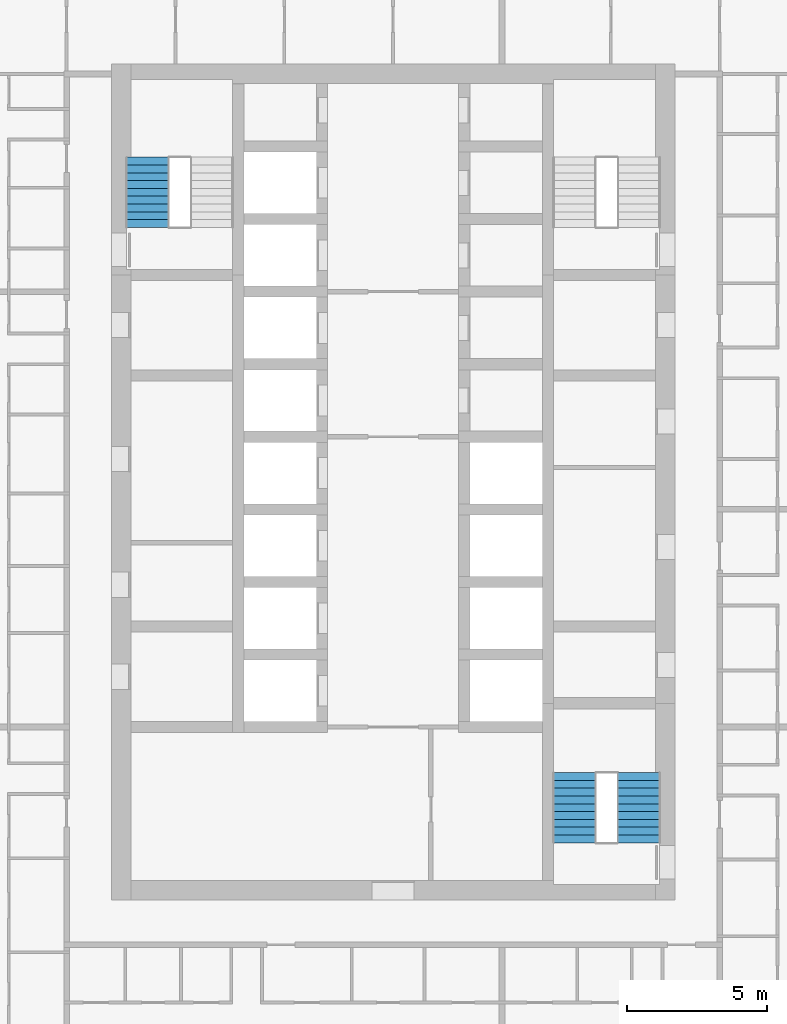
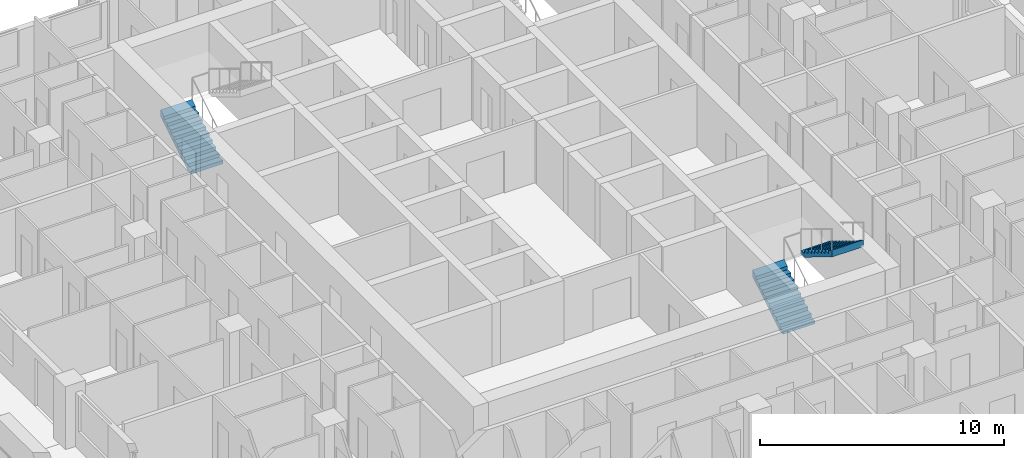
# One storey, part 14 of 17: 3 stair flights, 2 elements without a shape of their own.
"""IFC4 building model written with IfcOpenShell, lengths in metres."""

from ifc_helpers import new_model, si_unit, direction, frame, origin, place, context, subcontext, project, spatial, triangles, material, type_object, element, aggregate, save


model = new_model("IFC4")

# Units and contexts
model_context = context("Model", 3, precision=1e-05, world=origin(), true_north=direction((0.0, 1.0)))
body_context = subcontext(model_context, "Body", "Model", "MODEL_VIEW")
ifc_project = project(units=[si_unit("LENGTHUNIT", "METRE"), si_unit("AREAUNIT", "SQUARE_METRE"), si_unit("VOLUMEUNIT", "CUBIC_METRE"), si_unit("PLANEANGLEUNIT", "RADIAN"), si_unit("MASSUNIT", "GRAM", prefix="KILO")], contexts=[model_context])

# Site, building, storey
site_placement = place(None, origin())
site = spatial("IfcSite", under=ifc_project, at=site_placement, CompositionType="ELEMENT")
building_placement = place(site_placement, origin())
building = spatial("IfcBuilding", under=site, at=building_placement, Name="Ludao Terraces", CompositionType="ELEMENT")
storey_placement = place(building_placement, frame((0.0, 0.0, 88.60009765625)))
storey = spatial("IfcBuildingStorey", under=building, at=storey_placement, Name="L24", CompositionType="ELEMENT", Elevation=88.60009765625)

# Stair, stair flight
ifc_material = material(Name="Concrete C40", Category="concrete")
stair_type = type_object("IfcStairType", Name="INT Stair", PredefinedType="HALF_TURN_STAIR", material=ifc_material)
stair_1_placement = place(storey_placement, origin())
stair_1 = element("IfcStair", 1, at=stair_1_placement, inside=storey, type_object=stair_type, Name="EXIT STAIR 1", PredefinedType="HALF_TURN_STAIR")
stair_flight_type = type_object("IfcStairFlightType", Name="INT Stair flight", PredefinedType="STRAIGHT", material=ifc_material)
stair_flight_1_placement = place(storey_placement, frame((76.199951171875, 79.0, 0.0), z_axis=(0.0, 0.0, 1.0), x_axis=(0.0, 1.0, 0.0)))
stair_flight_1 = element("IfcStairFlight", 2, at=stair_flight_1_placement, type_object=stair_flight_type, Name="ST1 flight 1", NumberOfRisers=10, NumberOfTreads=9, PredefinedType="STRAIGHT", RiserHeight=0.17, TreadLength=0.28, context=body_context, shape_type="Tessellation", body=[
    triangles([(0.0, -0.75, 0.0), (0.0, -0.5, 0.0), (0.0, -0.25, 0.0), (0.0, 0.0, 0.0), (0.0, 0.25, 0.0), (0.0, 0.5, 0.0), (0.0, 0.75, 0.0), (0.0, -0.75, 0.169921875), (0.0, -0.5, 0.169921875), (0.0, -0.25, 0.169921875), (0.0, 0.0, 0.169921875), (0.0, 0.25, 0.169921875), (0.0, 0.5, 0.169921875), (0.0, 0.75, 0.169921875), (0.280029296875, -0.75, 0.169921875), (0.280029296875, -0.5, 0.169921875), (0.280029296875, -0.25, 0.169921875), (0.280029296875, 0.0, 0.169921875), (0.280029296875, 0.25, 0.169921875), (0.280029296875, 0.5, 0.169921875), (0.280029296875, 0.75, 0.169921875), (0.280029296875, -0.75, 0.340087890625), (0.280029296875, -0.5, 0.340087890625), (0.280029296875, -0.25, 0.340087890625), (0.280029296875, 0.0, 0.340087890625), (0.280029296875, 0.25, 0.340087890625), (0.280029296875, 0.5, 0.340087890625), (0.280029296875, 0.75, 0.340087890625), (0.56005859375, -0.75, 0.340087890625), (0.56005859375, -0.5, 0.340087890625), (0.56005859375, -0.25, 0.340087890625), (0.56005859375, 0.0, 0.340087890625), (0.56005859375, 0.25, 0.340087890625), (0.56005859375, 0.5, 0.340087890625), (0.56005859375, 0.75, 0.340087890625), (0.56005859375, -0.75, 0.510009765625), (0.56005859375, -0.5, 0.510009765625), (0.56005859375, -0.25, 0.510009765625), (0.56005859375, 0.0, 0.510009765625), (0.56005859375, 0.25, 0.510009765625), (0.56005859375, 0.5, 0.510009765625), (0.56005859375, 0.75, 0.510009765625), (0.840087890625, -0.75, 0.510009765625), (0.840087890625, -0.5, 0.510009765625), (0.840087890625, -0.25, 0.510009765625), (0.840087890625, 0.0, 0.510009765625), (0.840087890625, 0.25, 0.510009765625), (0.840087890625, 0.5, 0.510009765625), (0.840087890625, 0.75, 0.510009765625), (0.840087890625, -0.75, 0.679931640625), (0.840087890625, -0.5, 0.679931640625), (0.840087890625, -0.25, 0.679931640625), (0.840087890625, 0.0, 0.679931640625), (0.840087890625, 0.25, 0.679931640625), (0.840087890625, 0.5, 0.679931640625), (0.840087890625, 0.75, 0.679931640625), (1.1201171875, -0.75, 0.679931640625), (1.1201171875, -0.5, 0.679931640625), (1.1201171875, -0.25, 0.679931640625), (1.1201171875, 0.0, 0.679931640625), (1.1201171875, 0.25, 0.679931640625), (1.1201171875, 0.5, 0.679931640625), (1.1201171875, 0.75, 0.679931640625), (1.1201171875, -0.75, 0.85009765625), (1.1201171875, -0.5, 0.85009765625), (1.1201171875, -0.25, 0.85009765625), (1.1201171875, 0.0, 0.85009765625), (1.1201171875, 0.25, 0.85009765625), (1.1201171875, 0.5, 0.85009765625), (1.1201171875, 0.75, 0.85009765625), (1.39990234375, -0.75, 0.85009765625), (1.39990234375, -0.5, 0.85009765625), (1.39990234375, -0.25, 0.85009765625), (1.39990234375, 0.0, 0.85009765625), (1.39990234375, 0.25, 0.85009765625), (1.39990234375, 0.5, 0.85009765625), (1.39990234375, 0.75, 0.85009765625), (1.39990234375, -0.75, 1.02001953125), (1.39990234375, -0.5, 1.02001953125), (1.39990234375, -0.25, 1.02001953125), (1.39990234375, 0.0, 1.02001953125), (1.39990234375, 0.25, 1.02001953125), (1.39990234375, 0.5, 1.02001953125), (1.39990234375, 0.75, 1.02001953125), (1.679931640625, -0.75, 1.02001953125), (1.679931640625, -0.5, 1.02001953125), (1.679931640625, -0.25, 1.02001953125), (1.679931640625, 0.0, 1.02001953125), (1.679931640625, 0.25, 1.02001953125), (1.679931640625, 0.5, 1.02001953125), (1.679931640625, 0.75, 1.02001953125), (1.679931640625, -0.75, 1.18994140625), (1.679931640625, -0.5, 1.18994140625), (1.679931640625, -0.25, 1.18994140625), (1.679931640625, 0.0, 1.18994140625), (1.679931640625, 0.25, 1.18994140625), (1.679931640625, 0.5, 1.18994140625), (1.679931640625, 0.75, 1.18994140625), (1.9599609375, -0.75, 1.18994140625), (1.9599609375, -0.5, 1.18994140625), (1.9599609375, -0.25, 1.18994140625), (1.9599609375, 0.0, 1.18994140625), (1.9599609375, 0.25, 1.18994140625), (1.9599609375, 0.5, 1.18994140625), (1.9599609375, 0.75, 1.18994140625), (1.9599609375, -0.75, 1.360107421875), (1.9599609375, -0.5, 1.360107421875), (1.9599609375, -0.25, 1.360107421875), (1.9599609375, 0.0, 1.360107421875), (1.9599609375, 0.25, 1.360107421875), (1.9599609375, 0.5, 1.360107421875), (1.9599609375, 0.75, 1.360107421875), (2.239990234375, -0.75, 1.360107421875), (2.239990234375, -0.5, 1.360107421875), (2.239990234375, -0.25, 1.360107421875), (2.239990234375, 0.0, 1.360107421875), (2.239990234375, 0.25, 1.360107421875), (2.239990234375, 0.5, 1.360107421875), (2.239990234375, 0.75, 1.360107421875), (2.239990234375, -0.75, 1.530029296875), (2.239990234375, -0.5, 1.530029296875), (2.239990234375, -0.25, 1.530029296875), (2.239990234375, 0.0, 1.530029296875), (2.239990234375, 0.25, 1.530029296875), (2.239990234375, 0.5, 1.530029296875), (2.239990234375, 0.75, 1.530029296875), (2.52001953125, -0.75, 1.699951171875), (2.52001953125, -0.5, 1.699951171875), (2.52001953125, -0.25, 1.699951171875), (2.52001953125, 0.0, 1.699951171875), (2.52001953125, 0.25, 1.699951171875), (2.52001953125, 0.5, 1.699951171875), (2.52001953125, 0.75, 1.699951171875), (2.52001953125, -0.75, 1.354736328125), (2.52001953125, -0.5, 1.354736328125), (2.52001953125, -0.25, 1.354736328125), (2.52001953125, 0.0, 1.354736328125), (2.52001953125, 0.25, 1.354736328125), (2.52001953125, 0.5, 1.354736328125), (2.52001953125, 0.75, 1.354736328125), (0.288818359375, -0.75, 0.0), (0.288818359375, -0.5, 0.0), (0.288818359375, -0.25, 0.0), (0.288818359375, 0.0, 0.0), (0.288818359375, 0.25, 0.0), (0.288818359375, 0.5, 0.0), (0.288818359375, 0.75, 0.0)], [[1, 141, 134], [7, 140, 147], [134, 127, 120], [140, 126, 133], [134, 120, 113], [140, 119, 126], [134, 113, 106], [140, 112, 119], [134, 106, 99], [140, 105, 112], [99, 92, 85], [105, 91, 98], [134, 99, 85], [140, 91, 105], [85, 78, 71], [91, 77, 84], [134, 85, 71], [140, 77, 91], [71, 64, 57], [77, 63, 70], [134, 71, 57], [140, 63, 77], [57, 50, 43], [63, 49, 56], [134, 57, 43], [140, 49, 63], [43, 36, 29], [49, 35, 42], [134, 43, 29], [140, 35, 49], [29, 22, 15], [35, 21, 28], [134, 29, 15], [140, 21, 35], [1, 134, 15], [7, 21, 140], [15, 8, 1], [21, 7, 14], [1, 9, 2], [1, 8, 9], [2, 10, 3], [2, 9, 10], [3, 11, 4], [3, 10, 11], [4, 12, 5], [4, 11, 12], [5, 13, 6], [5, 12, 13], [6, 14, 7], [6, 13, 14], [8, 16, 9], [8, 15, 16], [9, 17, 10], [9, 16, 17], [10, 18, 11], [10, 17, 18], [11, 19, 12], [11, 18, 19], [12, 20, 13], [12, 19, 20], [13, 21, 14], [13, 20, 21], [15, 23, 16], [15, 22, 23], [16, 24, 17], [16, 23, 24], [17, 25, 18], [17, 24, 25], [18, 26, 19], [18, 25, 26], [19, 27, 20], [19, 26, 27], [20, 28, 21], [20, 27, 28], [22, 30, 23], [22, 29, 30], [23, 31, 24], [23, 30, 31], [24, 32, 25], [24, 31, 32], [25, 33, 26], [25, 32, 33], [26, 34, 27], [26, 33, 34], [27, 35, 28], [27, 34, 35], [29, 37, 30], [29, 36, 37], [30, 38, 31], [30, 37, 38], [31, 39, 32], [31, 38, 39], [32, 40, 33], [32, 39, 40], [33, 41, 34], [33, 40, 41], [34, 42, 35], [34, 41, 42], [36, 44, 37], [36, 43, 44], [37, 45, 38], [37, 44, 45], [38, 46, 39], [38, 45, 46], [39, 47, 40], [39, 46, 47], [40, 48, 41], [40, 47, 48], [41, 49, 42], [41, 48, 49], [43, 51, 44], [43, 50, 51], [44, 52, 45], [44, 51, 52], [45, 53, 46], [45, 52, 53], [46, 54, 47], [46, 53, 54], [47, 55, 48], [47, 54, 55], [48, 56, 49], [48, 55, 56], [50, 58, 51], [50, 57, 58], [51, 59, 52], [51, 58, 59], [52, 60, 53], [52, 59, 60], [53, 61, 54], [53, 60, 61], [54, 62, 55], [54, 61, 62], [55, 63, 56], [55, 62, 63], [57, 65, 58], [57, 64, 65], [58, 66, 59], [58, 65, 66], [59, 67, 60], [59, 66, 67], [60, 68, 61], [60, 67, 68], [61, 69, 62], [61, 68, 69], [62, 70, 63], [62, 69, 70], [64, 72, 65], [64, 71, 72], [65, 73, 66], [65, 72, 73], [66, 74, 67], [66, 73, 74], [67, 75, 68], [67, 74, 75], [68, 76, 69], [68, 75, 76], [69, 77, 70], [69, 76, 77], [71, 79, 72], [71, 78, 79], [72, 80, 73], [72, 79, 80], [73, 81, 74], [73, 80, 81], [74, 82, 75], [74, 81, 82], [75, 83, 76], [75, 82, 83], [76, 84, 77], [76, 83, 84], [78, 86, 79], [78, 85, 86], [79, 87, 80], [79, 86, 87], [80, 88, 81], [80, 87, 88], [81, 89, 82], [81, 88, 89], [82, 90, 83], [82, 89, 90], [83, 91, 84], [83, 90, 91], [85, 93, 86], [85, 92, 93], [86, 94, 87], [86, 93, 94], [87, 95, 88], [87, 94, 95], [88, 96, 89], [88, 95, 96], [89, 97, 90], [89, 96, 97], [90, 98, 91], [90, 97, 98], [92, 100, 93], [92, 99, 100], [93, 101, 94], [93, 100, 101], [94, 102, 95], [94, 101, 102], [95, 103, 96], [95, 102, 103], [96, 104, 97], [96, 103, 104], [97, 105, 98], [97, 104, 105], [99, 107, 100], [99, 106, 107], [100, 108, 101], [100, 107, 108], [101, 109, 102], [101, 108, 109], [102, 110, 103], [102, 109, 110], [103, 111, 104], [103, 110, 111], [104, 112, 105], [104, 111, 112], [106, 114, 107], [106, 113, 114], [107, 115, 108], [107, 114, 115], [108, 116, 109], [108, 115, 116], [109, 117, 110], [109, 116, 117], [110, 118, 111], [110, 117, 118], [111, 119, 112], [111, 118, 119], [113, 121, 114], [113, 120, 121], [114, 122, 115], [114, 121, 122], [115, 123, 116], [115, 122, 123], [116, 124, 117], [116, 123, 124], [117, 125, 118], [117, 124, 125], [118, 126, 119], [118, 125, 126], [120, 128, 121], [120, 127, 128], [121, 129, 122], [121, 128, 129], [122, 130, 123], [122, 129, 130], [123, 131, 124], [123, 130, 131], [124, 132, 125], [124, 131, 132], [125, 133, 126], [125, 132, 133], [127, 135, 128], [127, 134, 135], [128, 136, 129], [128, 135, 136], [129, 137, 130], [129, 136, 137], [130, 138, 131], [130, 137, 138], [131, 139, 132], [131, 138, 139], [132, 140, 133], [132, 139, 140], [134, 142, 135], [134, 141, 142], [135, 143, 136], [135, 142, 143], [136, 144, 137], [136, 143, 144], [137, 145, 138], [137, 144, 145], [138, 146, 139], [138, 145, 146], [139, 147, 140], [139, 146, 147], [141, 2, 142], [141, 1, 2], [142, 3, 143], [142, 2, 3], [143, 4, 144], [143, 3, 4], [144, 5, 145], [144, 4, 5], [145, 6, 146], [145, 5, 6], [146, 7, 147], [146, 6, 7]], closed=True),
])
aggregate(stair_1, [stair_flight_1])

# Stair, stair flights
stair_2_placement = place(storey_placement, origin())
stair_2 = element("IfcStair", 3, at=stair_2_placement, inside=storey, type_object=stair_type, Name="EXIT STAIR 3", PredefinedType="HALF_TURN_STAIR")
stair_flight_2_placement = place(storey_placement, frame((91.5, 56.949951171875, 0.0), z_axis=(0.0, 0.0, 1.0), x_axis=(0.0, 1.0, 0.0)))
stair_flight_2 = element("IfcStairFlight", 4, at=stair_flight_2_placement, type_object=stair_flight_type, Name="ST3 flight 1", NumberOfRisers=10, NumberOfTreads=9, PredefinedType="STRAIGHT", RiserHeight=0.17, TreadLength=0.28, context=body_context, shape_type="Tessellation", body=[
    triangles([(0.0, -0.75, 0.0), (0.0, -0.5, 0.0), (0.0, -0.25, 0.0), (0.0, 0.0, 0.0), (0.0, 0.25, 0.0), (0.0, 0.5, 0.0), (0.0, 0.75, 0.0), (0.0, -0.75, 0.169921875), (0.0, -0.5, 0.169921875), (0.0, -0.25, 0.169921875), (0.0, 0.0, 0.169921875), (0.0, 0.25, 0.169921875), (0.0, 0.5, 0.169921875), (0.0, 0.75, 0.169921875), (0.280029296875, -0.75, 0.169921875), (0.280029296875, -0.5, 0.169921875), (0.280029296875, -0.25, 0.169921875), (0.280029296875, 0.0, 0.169921875), (0.280029296875, 0.25, 0.169921875), (0.280029296875, 0.5, 0.169921875), (0.280029296875, 0.75, 0.169921875), (0.280029296875, -0.75, 0.340087890625), (0.280029296875, -0.5, 0.340087890625), (0.280029296875, -0.25, 0.340087890625), (0.280029296875, 0.0, 0.340087890625), (0.280029296875, 0.25, 0.340087890625), (0.280029296875, 0.5, 0.340087890625), (0.280029296875, 0.75, 0.340087890625), (0.56005859375, -0.75, 0.340087890625), (0.56005859375, -0.5, 0.340087890625), (0.56005859375, -0.25, 0.340087890625), (0.56005859375, 0.0, 0.340087890625), (0.56005859375, 0.25, 0.340087890625), (0.56005859375, 0.5, 0.340087890625), (0.56005859375, 0.75, 0.340087890625), (0.56005859375, -0.75, 0.510009765625), (0.56005859375, -0.5, 0.510009765625), (0.56005859375, -0.25, 0.510009765625), (0.56005859375, 0.0, 0.510009765625), (0.56005859375, 0.25, 0.510009765625), (0.56005859375, 0.5, 0.510009765625), (0.56005859375, 0.75, 0.510009765625), (0.840087890625, -0.75, 0.510009765625), (0.840087890625, -0.5, 0.510009765625), (0.840087890625, -0.25, 0.510009765625), (0.840087890625, 0.0, 0.510009765625), (0.840087890625, 0.25, 0.510009765625), (0.840087890625, 0.5, 0.510009765625), (0.840087890625, 0.75, 0.510009765625), (0.840087890625, -0.75, 0.679931640625), (0.840087890625, -0.5, 0.679931640625), (0.840087890625, -0.25, 0.679931640625), (0.840087890625, 0.0, 0.679931640625), (0.840087890625, 0.25, 0.679931640625), (0.840087890625, 0.5, 0.679931640625), (0.840087890625, 0.75, 0.679931640625), (1.1201171875, -0.75, 0.679931640625), (1.1201171875, -0.5, 0.679931640625), (1.1201171875, -0.25, 0.679931640625), (1.1201171875, 0.0, 0.679931640625), (1.1201171875, 0.25, 0.679931640625), (1.1201171875, 0.5, 0.679931640625), (1.1201171875, 0.75, 0.679931640625), (1.1201171875, -0.75, 0.85009765625), (1.1201171875, -0.5, 0.85009765625), (1.1201171875, -0.25, 0.85009765625), (1.1201171875, 0.0, 0.85009765625), (1.1201171875, 0.25, 0.85009765625), (1.1201171875, 0.5, 0.85009765625), (1.1201171875, 0.75, 0.85009765625), (1.39990234375, -0.75, 0.85009765625), (1.39990234375, -0.5, 0.85009765625), (1.39990234375, -0.25, 0.85009765625), (1.39990234375, 0.0, 0.85009765625), (1.39990234375, 0.25, 0.85009765625), (1.39990234375, 0.5, 0.85009765625), (1.39990234375, 0.75, 0.85009765625), (1.39990234375, -0.75, 1.02001953125), (1.39990234375, -0.5, 1.02001953125), (1.39990234375, -0.25, 1.02001953125), (1.39990234375, 0.0, 1.02001953125), (1.39990234375, 0.25, 1.02001953125), (1.39990234375, 0.5, 1.02001953125), (1.39990234375, 0.75, 1.02001953125), (1.679931640625, -0.75, 1.02001953125), (1.679931640625, -0.5, 1.02001953125), (1.679931640625, -0.25, 1.02001953125), (1.679931640625, 0.0, 1.02001953125), (1.679931640625, 0.25, 1.02001953125), (1.679931640625, 0.5, 1.02001953125), (1.679931640625, 0.75, 1.02001953125), (1.679931640625, -0.75, 1.18994140625), (1.679931640625, -0.5, 1.18994140625), (1.679931640625, -0.25, 1.18994140625), (1.679931640625, 0.0, 1.18994140625), (1.679931640625, 0.25, 1.18994140625), (1.679931640625, 0.5, 1.18994140625), (1.679931640625, 0.75, 1.18994140625), (1.9599609375, -0.75, 1.18994140625), (1.9599609375, -0.5, 1.18994140625), (1.9599609375, -0.25, 1.18994140625), (1.9599609375, 0.0, 1.18994140625), (1.9599609375, 0.25, 1.18994140625), (1.9599609375, 0.5, 1.18994140625), (1.9599609375, 0.75, 1.18994140625), (1.9599609375, -0.75, 1.360107421875), (1.9599609375, -0.5, 1.360107421875), (1.9599609375, -0.25, 1.360107421875), (1.9599609375, 0.0, 1.360107421875), (1.9599609375, 0.25, 1.360107421875), (1.9599609375, 0.5, 1.360107421875), (1.9599609375, 0.75, 1.360107421875), (2.239990234375, -0.75, 1.360107421875), (2.239990234375, -0.5, 1.360107421875), (2.239990234375, -0.25, 1.360107421875), (2.239990234375, 0.0, 1.360107421875), (2.239990234375, 0.25, 1.360107421875), (2.239990234375, 0.5, 1.360107421875), (2.239990234375, 0.75, 1.360107421875), (2.239990234375, -0.75, 1.530029296875), (2.239990234375, -0.5, 1.530029296875), (2.239990234375, -0.25, 1.530029296875), (2.239990234375, 0.0, 1.530029296875), (2.239990234375, 0.25, 1.530029296875), (2.239990234375, 0.5, 1.530029296875), (2.239990234375, 0.75, 1.530029296875), (2.52001953125, -0.75, 1.699951171875), (2.52001953125, -0.5, 1.699951171875), (2.52001953125, -0.25, 1.699951171875), (2.52001953125, 0.0, 1.699951171875), (2.52001953125, 0.25, 1.699951171875), (2.52001953125, 0.5, 1.699951171875), (2.52001953125, 0.75, 1.699951171875), (2.52001953125, -0.75, 1.354736328125), (2.52001953125, -0.5, 1.354736328125), (2.52001953125, -0.25, 1.354736328125), (2.52001953125, 0.0, 1.354736328125), (2.52001953125, 0.25, 1.354736328125), (2.52001953125, 0.5, 1.354736328125), (2.52001953125, 0.75, 1.354736328125), (0.288818359375, -0.75, 0.0), (0.288818359375, -0.5, 0.0), (0.288818359375, -0.25, 0.0), (0.288818359375, 0.0, 0.0), (0.288818359375, 0.25, 0.0), (0.288818359375, 0.5, 0.0), (0.288818359375, 0.75, 0.0)], [[1, 141, 134], [7, 140, 147], [134, 127, 120], [140, 126, 133], [134, 120, 113], [140, 119, 126], [134, 113, 106], [140, 112, 119], [134, 106, 99], [140, 105, 112], [99, 92, 85], [105, 91, 98], [134, 99, 85], [140, 91, 105], [85, 78, 71], [91, 77, 84], [134, 85, 71], [140, 77, 91], [71, 64, 57], [77, 63, 70], [134, 71, 57], [140, 63, 77], [57, 50, 43], [63, 49, 56], [134, 57, 43], [140, 49, 63], [43, 36, 29], [49, 35, 42], [134, 43, 29], [140, 35, 49], [29, 22, 15], [35, 21, 28], [134, 29, 15], [140, 21, 35], [1, 134, 15], [7, 21, 140], [15, 8, 1], [21, 7, 14], [1, 9, 2], [1, 8, 9], [2, 10, 3], [2, 9, 10], [3, 11, 4], [3, 10, 11], [4, 12, 5], [4, 11, 12], [5, 13, 6], [5, 12, 13], [6, 14, 7], [6, 13, 14], [8, 16, 9], [8, 15, 16], [9, 17, 10], [9, 16, 17], [10, 18, 11], [10, 17, 18], [11, 19, 12], [11, 18, 19], [12, 20, 13], [12, 19, 20], [13, 21, 14], [13, 20, 21], [15, 23, 16], [15, 22, 23], [16, 24, 17], [16, 23, 24], [17, 25, 18], [17, 24, 25], [18, 26, 19], [18, 25, 26], [19, 27, 20], [19, 26, 27], [20, 28, 21], [20, 27, 28], [22, 30, 23], [22, 29, 30], [23, 31, 24], [23, 30, 31], [24, 32, 25], [24, 31, 32], [25, 33, 26], [25, 32, 33], [26, 34, 27], [26, 33, 34], [27, 35, 28], [27, 34, 35], [29, 37, 30], [29, 36, 37], [30, 38, 31], [30, 37, 38], [31, 39, 32], [31, 38, 39], [32, 40, 33], [32, 39, 40], [33, 41, 34], [33, 40, 41], [34, 42, 35], [34, 41, 42], [36, 44, 37], [36, 43, 44], [37, 45, 38], [37, 44, 45], [38, 46, 39], [38, 45, 46], [39, 47, 40], [39, 46, 47], [40, 48, 41], [40, 47, 48], [41, 49, 42], [41, 48, 49], [43, 51, 44], [43, 50, 51], [44, 52, 45], [44, 51, 52], [45, 53, 46], [45, 52, 53], [46, 54, 47], [46, 53, 54], [47, 55, 48], [47, 54, 55], [48, 56, 49], [48, 55, 56], [50, 58, 51], [50, 57, 58], [51, 59, 52], [51, 58, 59], [52, 60, 53], [52, 59, 60], [53, 61, 54], [53, 60, 61], [54, 62, 55], [54, 61, 62], [55, 63, 56], [55, 62, 63], [57, 65, 58], [57, 64, 65], [58, 66, 59], [58, 65, 66], [59, 67, 60], [59, 66, 67], [60, 68, 61], [60, 67, 68], [61, 69, 62], [61, 68, 69], [62, 70, 63], [62, 69, 70], [64, 72, 65], [64, 71, 72], [65, 73, 66], [65, 72, 73], [66, 74, 67], [66, 73, 74], [67, 75, 68], [67, 74, 75], [68, 76, 69], [68, 75, 76], [69, 77, 70], [69, 76, 77], [71, 79, 72], [71, 78, 79], [72, 80, 73], [72, 79, 80], [73, 81, 74], [73, 80, 81], [74, 82, 75], [74, 81, 82], [75, 83, 76], [75, 82, 83], [76, 84, 77], [76, 83, 84], [78, 86, 79], [78, 85, 86], [79, 87, 80], [79, 86, 87], [80, 88, 81], [80, 87, 88], [81, 89, 82], [81, 88, 89], [82, 90, 83], [82, 89, 90], [83, 91, 84], [83, 90, 91], [85, 93, 86], [85, 92, 93], [86, 94, 87], [86, 93, 94], [87, 95, 88], [87, 94, 95], [88, 96, 89], [88, 95, 96], [89, 97, 90], [89, 96, 97], [90, 98, 91], [90, 97, 98], [92, 100, 93], [92, 99, 100], [93, 101, 94], [93, 100, 101], [94, 102, 95], [94, 101, 102], [95, 103, 96], [95, 102, 103], [96, 104, 97], [96, 103, 104], [97, 105, 98], [97, 104, 105], [99, 107, 100], [99, 106, 107], [100, 108, 101], [100, 107, 108], [101, 109, 102], [101, 108, 109], [102, 110, 103], [102, 109, 110], [103, 111, 104], [103, 110, 111], [104, 112, 105], [104, 111, 112], [106, 114, 107], [106, 113, 114], [107, 115, 108], [107, 114, 115], [108, 116, 109], [108, 115, 116], [109, 117, 110], [109, 116, 117], [110, 118, 111], [110, 117, 118], [111, 119, 112], [111, 118, 119], [113, 121, 114], [113, 120, 121], [114, 122, 115], [114, 121, 122], [115, 123, 116], [115, 122, 123], [116, 124, 117], [116, 123, 124], [117, 125, 118], [117, 124, 125], [118, 126, 119], [118, 125, 126], [120, 128, 121], [120, 127, 128], [121, 129, 122], [121, 128, 129], [122, 130, 123], [122, 129, 130], [123, 131, 124], [123, 130, 131], [124, 132, 125], [124, 131, 132], [125, 133, 126], [125, 132, 133], [127, 135, 128], [127, 134, 135], [128, 136, 129], [128, 135, 136], [129, 137, 130], [129, 136, 137], [130, 138, 131], [130, 137, 138], [131, 139, 132], [131, 138, 139], [132, 140, 133], [132, 139, 140], [134, 142, 135], [134, 141, 142], [135, 143, 136], [135, 142, 143], [136, 144, 137], [136, 143, 144], [137, 145, 138], [137, 144, 145], [138, 146, 139], [138, 145, 146], [139, 147, 140], [139, 146, 147], [141, 2, 142], [141, 1, 2], [142, 3, 143], [142, 2, 3], [143, 4, 144], [143, 3, 4], [144, 5, 145], [144, 4, 5], [145, 6, 146], [145, 5, 6], [146, 7, 147], [146, 6, 7]], closed=True),
])
stair_flight_3_placement = place(storey_placement, frame((93.800048828125, 59.469970703125, 1.699951171875), z_axis=(0.0, 0.0, 1.0), x_axis=(0.0, -1.0, 0.0)))
stair_flight_3 = element("IfcStairFlight", 5, at=stair_flight_3_placement, type_object=stair_flight_type, Name="ST3 flight 2", NumberOfRisers=10, NumberOfTreads=9, PredefinedType="STRAIGHT", RiserHeight=0.17, TreadLength=0.28, context=body_context, shape_type="Tessellation", body=[
    triangles([(0.0, -0.75, 0.0), (0.0, -0.5, 0.0), (0.0, -0.25, 0.0), (0.0, 0.0, 0.0), (0.0, 0.25, 0.0), (0.0, 0.5, 0.0), (0.0, 0.75, 0.0), (0.0, -0.75, 0.169921875), (0.0, -0.5, 0.169921875), (0.0, -0.25, 0.169921875), (0.0, 0.0, 0.169921875), (0.0, 0.25, 0.169921875), (0.0, 0.5, 0.169921875), (0.0, 0.75, 0.169921875), (0.280029296875, -0.75, 0.169921875), (0.280029296875, -0.5, 0.169921875), (0.280029296875, -0.25, 0.169921875), (0.280029296875, 0.0, 0.169921875), (0.280029296875, 0.25, 0.169921875), (0.280029296875, 0.5, 0.169921875), (0.280029296875, 0.75, 0.169921875), (0.280029296875, -0.75, 0.340087890625), (0.280029296875, -0.5, 0.340087890625), (0.280029296875, -0.25, 0.340087890625), (0.280029296875, 0.0, 0.340087890625), (0.280029296875, 0.25, 0.340087890625), (0.280029296875, 0.5, 0.340087890625), (0.280029296875, 0.75, 0.340087890625), (0.56005859375, -0.75, 0.340087890625), (0.56005859375, -0.5, 0.340087890625), (0.56005859375, -0.25, 0.340087890625), (0.56005859375, 0.0, 0.340087890625), (0.56005859375, 0.25, 0.340087890625), (0.56005859375, 0.5, 0.340087890625), (0.56005859375, 0.75, 0.340087890625), (0.56005859375, -0.75, 0.510009765625), (0.56005859375, -0.5, 0.510009765625), (0.56005859375, -0.25, 0.510009765625), (0.56005859375, 0.0, 0.510009765625), (0.56005859375, 0.25, 0.510009765625), (0.56005859375, 0.5, 0.510009765625), (0.56005859375, 0.75, 0.510009765625), (0.840087890625, -0.75, 0.510009765625), (0.840087890625, -0.5, 0.510009765625), (0.840087890625, -0.25, 0.510009765625), (0.840087890625, 0.0, 0.510009765625), (0.840087890625, 0.25, 0.510009765625), (0.840087890625, 0.5, 0.510009765625), (0.840087890625, 0.75, 0.510009765625), (0.840087890625, -0.75, 0.679931640625), (0.840087890625, -0.5, 0.679931640625), (0.840087890625, -0.25, 0.679931640625), (0.840087890625, 0.0, 0.679931640625), (0.840087890625, 0.25, 0.679931640625), (0.840087890625, 0.5, 0.679931640625), (0.840087890625, 0.75, 0.679931640625), (1.1201171875, -0.75, 0.679931640625), (1.1201171875, -0.5, 0.679931640625), (1.1201171875, -0.25, 0.679931640625), (1.1201171875, 0.0, 0.679931640625), (1.1201171875, 0.25, 0.679931640625), (1.1201171875, 0.5, 0.679931640625), (1.1201171875, 0.75, 0.679931640625), (1.1201171875, -0.75, 0.85009765625), (1.1201171875, -0.5, 0.85009765625), (1.1201171875, -0.25, 0.85009765625), (1.1201171875, 0.0, 0.85009765625), (1.1201171875, 0.25, 0.85009765625), (1.1201171875, 0.5, 0.85009765625), (1.1201171875, 0.75, 0.85009765625), (1.39990234375, -0.75, 0.85009765625), (1.39990234375, -0.5, 0.85009765625), (1.39990234375, -0.25, 0.85009765625), (1.39990234375, 0.0, 0.85009765625), (1.39990234375, 0.25, 0.85009765625), (1.39990234375, 0.5, 0.85009765625), (1.39990234375, 0.75, 0.85009765625), (1.39990234375, -0.75, 1.02001953125), (1.39990234375, -0.5, 1.02001953125), (1.39990234375, -0.25, 1.02001953125), (1.39990234375, 0.0, 1.02001953125), (1.39990234375, 0.25, 1.02001953125), (1.39990234375, 0.5, 1.02001953125), (1.39990234375, 0.75, 1.02001953125), (1.679931640625, -0.75, 1.02001953125), (1.679931640625, -0.5, 1.02001953125), (1.679931640625, -0.25, 1.02001953125), (1.679931640625, 0.0, 1.02001953125), (1.679931640625, 0.25, 1.02001953125), (1.679931640625, 0.5, 1.02001953125), (1.679931640625, 0.75, 1.02001953125), (1.679931640625, -0.75, 1.18994140625), (1.679931640625, -0.5, 1.18994140625), (1.679931640625, -0.25, 1.18994140625), (1.679931640625, 0.0, 1.18994140625), (1.679931640625, 0.25, 1.18994140625), (1.679931640625, 0.5, 1.18994140625), (1.679931640625, 0.75, 1.18994140625), (1.9599609375, -0.75, 1.18994140625), (1.9599609375, -0.5, 1.18994140625), (1.9599609375, -0.25, 1.18994140625), (1.9599609375, 0.0, 1.18994140625), (1.9599609375, 0.25, 1.18994140625), (1.9599609375, 0.5, 1.18994140625), (1.9599609375, 0.75, 1.18994140625), (1.9599609375, -0.75, 1.360107421875), (1.9599609375, -0.5, 1.360107421875), (1.9599609375, -0.25, 1.360107421875), (1.9599609375, 0.0, 1.360107421875), (1.9599609375, 0.25, 1.360107421875), (1.9599609375, 0.5, 1.360107421875), (1.9599609375, 0.75, 1.360107421875), (2.239990234375, -0.75, 1.360107421875), (2.239990234375, -0.5, 1.360107421875), (2.239990234375, -0.25, 1.360107421875), (2.239990234375, 0.0, 1.360107421875), (2.239990234375, 0.25, 1.360107421875), (2.239990234375, 0.5, 1.360107421875), (2.239990234375, 0.75, 1.360107421875), (2.239990234375, -0.75, 1.530029296875), (2.239990234375, -0.5, 1.530029296875), (2.239990234375, -0.25, 1.530029296875), (2.239990234375, 0.0, 1.530029296875), (2.239990234375, 0.25, 1.530029296875), (2.239990234375, 0.5, 1.530029296875), (2.239990234375, 0.75, 1.530029296875), (2.52001953125, -0.75, 1.699951171875), (2.52001953125, -0.5, 1.699951171875), (2.52001953125, -0.25, 1.699951171875), (2.52001953125, 0.0, 1.699951171875), (2.52001953125, 0.25, 1.699951171875), (2.52001953125, 0.5, 1.699951171875), (2.52001953125, 0.75, 1.699951171875), (2.52001953125, -0.75, 1.354736328125), (2.52001953125, -0.5, 1.354736328125), (2.52001953125, -0.25, 1.354736328125), (2.52001953125, 0.0, 1.354736328125), (2.52001953125, 0.25, 1.354736328125), (2.52001953125, 0.5, 1.354736328125), (2.52001953125, 0.75, 1.354736328125), (0.288818359375, -0.75, 0.0), (0.288818359375, -0.5, 0.0), (0.288818359375, -0.25, 0.0), (0.288818359375, 0.0, 0.0), (0.288818359375, 0.25, 0.0), (0.288818359375, 0.5, 0.0), (0.288818359375, 0.75, 0.0)], [[1, 141, 134], [7, 140, 147], [134, 127, 120], [140, 126, 133], [134, 120, 113], [140, 119, 126], [134, 113, 106], [140, 112, 119], [134, 106, 99], [140, 105, 112], [99, 92, 85], [105, 91, 98], [134, 99, 85], [140, 91, 105], [85, 78, 71], [91, 77, 84], [134, 85, 71], [140, 77, 91], [71, 64, 57], [77, 63, 70], [134, 71, 57], [140, 63, 77], [57, 50, 43], [63, 49, 56], [134, 57, 43], [140, 49, 63], [43, 36, 29], [49, 35, 42], [134, 43, 29], [140, 35, 49], [29, 22, 15], [35, 21, 28], [134, 29, 15], [140, 21, 35], [1, 134, 15], [7, 21, 140], [15, 8, 1], [21, 7, 14], [1, 9, 2], [1, 8, 9], [2, 10, 3], [2, 9, 10], [3, 11, 4], [3, 10, 11], [4, 12, 5], [4, 11, 12], [5, 13, 6], [5, 12, 13], [6, 14, 7], [6, 13, 14], [8, 16, 9], [8, 15, 16], [9, 17, 10], [9, 16, 17], [10, 18, 11], [10, 17, 18], [11, 19, 12], [11, 18, 19], [12, 20, 13], [12, 19, 20], [13, 21, 14], [13, 20, 21], [15, 23, 16], [15, 22, 23], [16, 24, 17], [16, 23, 24], [17, 25, 18], [17, 24, 25], [18, 26, 19], [18, 25, 26], [19, 27, 20], [19, 26, 27], [20, 28, 21], [20, 27, 28], [22, 30, 23], [22, 29, 30], [23, 31, 24], [23, 30, 31], [24, 32, 25], [24, 31, 32], [25, 33, 26], [25, 32, 33], [26, 34, 27], [26, 33, 34], [27, 35, 28], [27, 34, 35], [29, 37, 30], [29, 36, 37], [30, 38, 31], [30, 37, 38], [31, 39, 32], [31, 38, 39], [32, 40, 33], [32, 39, 40], [33, 41, 34], [33, 40, 41], [34, 42, 35], [34, 41, 42], [36, 44, 37], [36, 43, 44], [37, 45, 38], [37, 44, 45], [38, 46, 39], [38, 45, 46], [39, 47, 40], [39, 46, 47], [40, 48, 41], [40, 47, 48], [41, 49, 42], [41, 48, 49], [43, 51, 44], [43, 50, 51], [44, 52, 45], [44, 51, 52], [45, 53, 46], [45, 52, 53], [46, 54, 47], [46, 53, 54], [47, 55, 48], [47, 54, 55], [48, 56, 49], [48, 55, 56], [50, 58, 51], [50, 57, 58], [51, 59, 52], [51, 58, 59], [52, 60, 53], [52, 59, 60], [53, 61, 54], [53, 60, 61], [54, 62, 55], [54, 61, 62], [55, 63, 56], [55, 62, 63], [57, 65, 58], [57, 64, 65], [58, 66, 59], [58, 65, 66], [59, 67, 60], [59, 66, 67], [60, 68, 61], [60, 67, 68], [61, 69, 62], [61, 68, 69], [62, 70, 63], [62, 69, 70], [64, 72, 65], [64, 71, 72], [65, 73, 66], [65, 72, 73], [66, 74, 67], [66, 73, 74], [67, 75, 68], [67, 74, 75], [68, 76, 69], [68, 75, 76], [69, 77, 70], [69, 76, 77], [71, 79, 72], [71, 78, 79], [72, 80, 73], [72, 79, 80], [73, 81, 74], [73, 80, 81], [74, 82, 75], [74, 81, 82], [75, 83, 76], [75, 82, 83], [76, 84, 77], [76, 83, 84], [78, 86, 79], [78, 85, 86], [79, 87, 80], [79, 86, 87], [80, 88, 81], [80, 87, 88], [81, 89, 82], [81, 88, 89], [82, 90, 83], [82, 89, 90], [83, 91, 84], [83, 90, 91], [85, 93, 86], [85, 92, 93], [86, 94, 87], [86, 93, 94], [87, 95, 88], [87, 94, 95], [88, 96, 89], [88, 95, 96], [89, 97, 90], [89, 96, 97], [90, 98, 91], [90, 97, 98], [92, 100, 93], [92, 99, 100], [93, 101, 94], [93, 100, 101], [94, 102, 95], [94, 101, 102], [95, 103, 96], [95, 102, 103], [96, 104, 97], [96, 103, 104], [97, 105, 98], [97, 104, 105], [99, 107, 100], [99, 106, 107], [100, 108, 101], [100, 107, 108], [101, 109, 102], [101, 108, 109], [102, 110, 103], [102, 109, 110], [103, 111, 104], [103, 110, 111], [104, 112, 105], [104, 111, 112], [106, 114, 107], [106, 113, 114], [107, 115, 108], [107, 114, 115], [108, 116, 109], [108, 115, 116], [109, 117, 110], [109, 116, 117], [110, 118, 111], [110, 117, 118], [111, 119, 112], [111, 118, 119], [113, 121, 114], [113, 120, 121], [114, 122, 115], [114, 121, 122], [115, 123, 116], [115, 122, 123], [116, 124, 117], [116, 123, 124], [117, 125, 118], [117, 124, 125], [118, 126, 119], [118, 125, 126], [120, 128, 121], [120, 127, 128], [121, 129, 122], [121, 128, 129], [122, 130, 123], [122, 129, 130], [123, 131, 124], [123, 130, 131], [124, 132, 125], [124, 131, 132], [125, 133, 126], [125, 132, 133], [127, 135, 128], [127, 134, 135], [128, 136, 129], [128, 135, 136], [129, 137, 130], [129, 136, 137], [130, 138, 131], [130, 137, 138], [131, 139, 132], [131, 138, 139], [132, 140, 133], [132, 139, 140], [134, 142, 135], [134, 141, 142], [135, 143, 136], [135, 142, 143], [136, 144, 137], [136, 143, 144], [137, 145, 138], [137, 144, 145], [138, 146, 139], [138, 145, 146], [139, 147, 140], [139, 146, 147], [141, 2, 142], [141, 1, 2], [142, 3, 143], [142, 2, 3], [143, 4, 144], [143, 3, 4], [144, 5, 145], [144, 4, 5], [145, 6, 146], [145, 5, 6], [146, 7, 147], [146, 6, 7]], closed=True),
])
aggregate(stair_2, [stair_flight_2, stair_flight_3])

save(model, "model.ifc")
